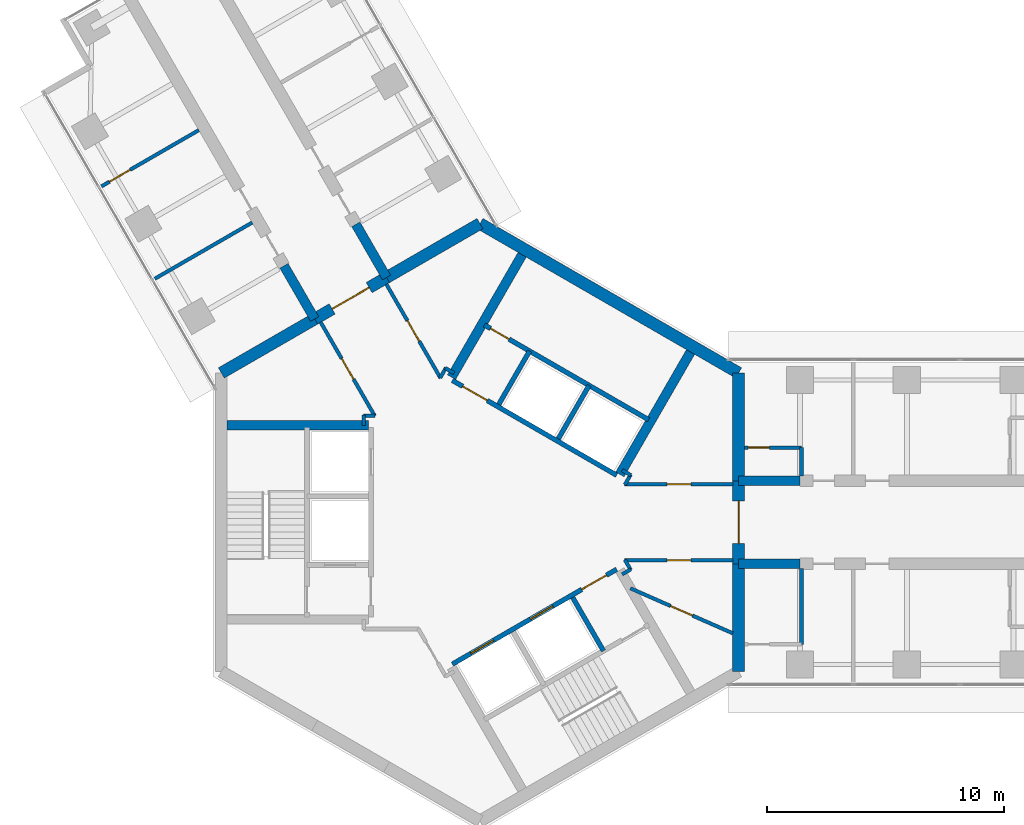
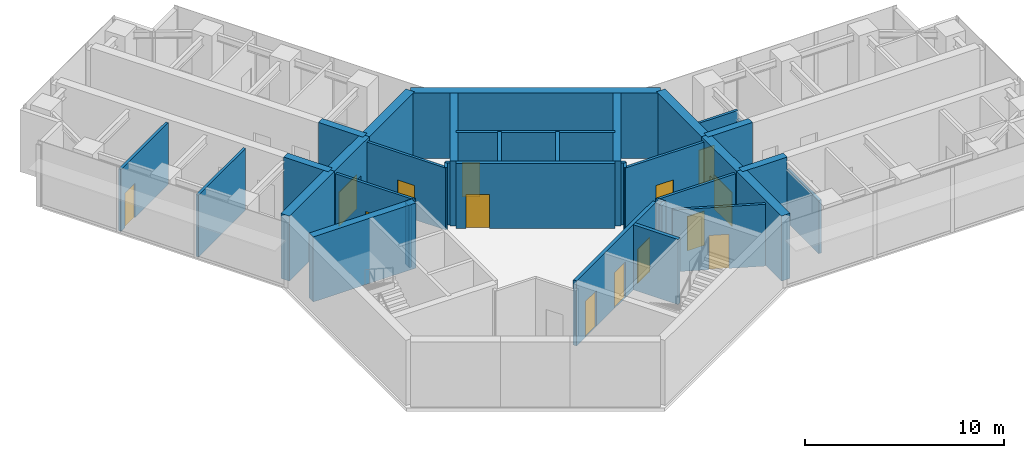
# One storey, part 12 of 17: 38 walls, 14 doors, 14 openings.
"""IFC4 building model written with IfcOpenShell, lengths in metres."""

from ifc_helpers import new_model, si_unit, direction, frame, frame_2d, origin, place, context, subcontext, project, spatial, rectangle, extrude, material, layer, layer_set, type_object, element, fill, save


model = new_model("IFC4")

# Units and contexts
model_context = context("Model", 3, precision=1e-05, world=origin(), true_north=direction((0.0, 1.0)))
body_context = subcontext(model_context, "Body", "Model", "MODEL_VIEW")
ifc_project = project(units=[si_unit("LENGTHUNIT", "METRE"), si_unit("AREAUNIT", "SQUARE_METRE"), si_unit("VOLUMEUNIT", "CUBIC_METRE"), si_unit("PLANEANGLEUNIT", "RADIAN"), si_unit("MASSUNIT", "GRAM", prefix="KILO")], contexts=[model_context])

# Site, building, storey
site_placement = place(None, origin())
site = spatial("IfcSite", under=ifc_project, at=site_placement, CompositionType="ELEMENT")
building_placement = place(site_placement, origin())
building = spatial("IfcBuilding", under=site, at=building_placement, Name="Upepo Twin Towers", CompositionType="ELEMENT")
storey_placement = place(building_placement, frame((0.0, 0.0, 194.5)))
storey = spatial("IfcBuildingStorey", under=building, at=storey_placement, Name="L47", CompositionType="ELEMENT", Elevation=194.5)

# Walls
ifc_material_1 = material(Name="Concrete C60/75", Category="concrete")
ifc_layer_1 = layer(ifc_material_1, 0.39990234375)
ifc_layer_set_1 = layer_set([ifc_layer_1], Name="Concrete C60/75")
wall_type_1 = type_object("IfcWallType", Name="Buttress wall 400 RC", PredefinedType="SHEAR", material=ifc_layer_set_1)
for number, where, z_axis, x_axis, name in (
    (1, (10.908447265625, 1.75, 0.0), (0.0, 0.0, 1.0), (1.0, 0.0, 0.0), "T1 wing A buttress wall L"),
    (2, (10.908447265625, -1.75, 0.0), (0.0, 0.0, 1.0), (1.0, 0.0, 0.0), "T1 wing A buttress wall R"),
):
    element("IfcWall", number, at=place(storey_placement, frame(where, z_axis=z_axis, x_axis=x_axis)), inside=storey, type_object=wall_type_1, Name=name, PredefinedType="SHEAR", context=body_context, shape_type="SweptSolid", body=[
        extrude(rectangle(XDim=2.591552734375, YDim=0.39990234375, at=frame_2d((1.2958984375, 0.0))), origin(), (0.0, 0.0, 1.0), 4.0),
    ])
for number, where, z_axis, x_axis, name in (
    (3, (-6.9697265625, 8.57177734375, 0.0), (0.0, 0.0, 1.0), (-0.499988811324, 0.866031863473, 0.0), "T1 wing B buttress wall L"),
    (4, (-3.938720703125, 10.32177734375, 0.0), (0.0, 0.0, 1.0), (-0.499918158782, 0.866072649678, 0.0), "T1 wing B buttress wall R"),
):
    element("IfcWall", number, at=place(storey_placement, frame(where, z_axis=z_axis, x_axis=x_axis)), inside=storey, type_object=wall_type_1, Name=name, PredefinedType="SHEAR", context=body_context, shape_type="SweptSolid", body=[
        extrude(rectangle(XDim=2.591796875, YDim=0.39990234375, at=frame_2d((1.2958984375, 0.0))), origin(), (0.0, 0.0, 1.0), 4.0),
    ])
ifc_material_2 = material(Name="Concrete C60/75", Category="concrete")
ifc_layer_2 = layer(ifc_material_2, 0.5)
ifc_layer_set_2 = layer_set([ifc_layer_2], Name="Concrete C60/75")
wall_type_2 = type_object("IfcWallType", Name="Core wall 500 RC", PredefinedType="SHEAR", material=ifc_layer_set_2)
wall_1_placement = place(storey_placement, frame((10.908447265625, -6.2978515625, 0.0), z_axis=(0.0, 0.0, 1.0), x_axis=(0.0, 1.0, 0.0)))
element("IfcWall", 5, at=wall_1_placement, inside=storey, type_object=wall_type_2, Name="T1 core wall 000 R", PredefinedType="SHEAR", context=body_context, shape_type="SweptSolid", body=[
    extrude(rectangle(XDim=4.5478515625, YDim=0.5, at=frame_2d((2.27392578125, 0.0))), origin(), (0.0, 0.0, 1.0), 4.0),
])

# Wall, opening, door
wall_2_placement = place(storey_placement, frame((10.908447265625, -1.75, 0.0), z_axis=(0.0, 0.0, 1.0), x_axis=(0.0, 1.0, 0.0)))
wall_2 = element("IfcWall", 6, at=wall_2_placement, inside=storey, type_object=wall_type_2, Name="T1 core wall 000", PredefinedType="SHEAR", context=body_context, shape_type="SweptSolid", body=[
    extrude(rectangle(XDim=3.5, YDim=0.5, at=frame_2d((1.75, 0.0))), origin(), (0.0, 0.0, 1.0), 4.0),
])
opening_1_placement = place(wall_2_placement, frame((0.85009765625, 0.0, 0.0)))
opening_1 = element("IfcOpeningElement", 7, at=opening_1_placement, cuts=wall_2, Name="Opening D2", PredefinedType="OPENING", context=body_context, shape_type="SweptSolid", body=[
    extrude(rectangle(XDim=1.800048828125, YDim=2.10009765625, at=frame_2d((0.89990234375, 1.050048828125))), frame((0.0, 0.260009765625, 0.0), z_axis=(0.0, -1.0, 0.0), x_axis=(1.0, 0.0, 0.0)), (0.0, 0.0, 1.0), 0.52001953125),
])
ifc_material_3 = material(Name="Timber doorset", Category="wood")
door_type_1 = type_object("IfcDoorType", Name="Corridor double door 1800 FD60", OperationType="DOUBLE_DOOR_DOUBLE_SWING", PredefinedType="DOOR", material=ifc_material_3)
door_1_placement = place(opening_1_placement, origin())
door_1 = element("IfcDoor", 8, at=door_1_placement, inside=storey, type_object=door_type_1, Name="T1 L47 wing A corridor door", OperationType="DOUBLE_DOOR_DOUBLE_SWING", OverallHeight=2.10009765625, OverallWidth=1.800048828125, PredefinedType="DOOR", context=body_context, shape_type="SweptSolid", body=[
    extrude(rectangle(XDim=1.800048828125, YDim=2.10009765625, at=frame_2d((0.89990234375, 1.050048828125))), frame((0.0, 0.02490234375, 0.0), z_axis=(0.0, -1.0, 0.0), x_axis=(1.0, 0.0, 0.0)), (0.0, 0.0, 1.0), 0.050048828125),
])
fill(opening_1, door_1)

# Walls
wall_3_placement = place(storey_placement, frame((10.908447265625, 1.75, 0.0), z_axis=(0.0, 0.0, 1.0), x_axis=(0.0, 1.0, 0.0)))
element("IfcWall", 9, at=wall_3_placement, inside=storey, type_object=wall_type_2, Name="T1 core wall 000 L", PredefinedType="SHEAR", context=body_context, shape_type="SweptSolid", body=[
    extrude(rectangle(XDim=4.5478515625, YDim=0.5, at=frame_2d((2.27392578125, 0.0))), origin(), (0.0, 0.0, 1.0), 4.0),
])
wall_4_placement = place(storey_placement, frame((10.908447265625, 6.2978515625, 0.0), z_axis=(0.0, 0.0, 1.0), x_axis=(-0.866021940709, 0.500005998175, 0.0)))
element("IfcWall", 10, at=wall_4_placement, inside=storey, type_object=wall_type_2, Name="T1 core wall 060", PredefinedType="SHEAR", context=body_context, shape_type="SweptSolid", body=[
    extrude(rectangle(XDim=12.595947265625, YDim=0.5, at=frame_2d((6.2978515625, 0.0))), origin(), (0.0, 0.0, 1.0), 4.0),
])
wall_5_placement = place(storey_placement, frame((0.0, 12.595947265625, 0.0), z_axis=(0.0, 0.0, 1.0), x_axis=(-0.866011268655, -0.500024481964, 0.0)))
element("IfcWall", 11, at=wall_5_placement, inside=storey, type_object=wall_type_2, Name="T1 core wall 120 R", PredefinedType="SHEAR", context=body_context, shape_type="SweptSolid", body=[
    extrude(rectangle(XDim=4.548095703125, YDim=0.5, at=frame_2d((2.27392578125, 0.0))), origin(), (0.0, 0.0, 1.0), 4.0),
])

# Wall, opening, door
wall_6_placement = place(storey_placement, frame((-3.938720703125, 10.32177734375, 0.0), z_axis=(0.0, 0.0, 1.0), x_axis=(-0.866019471182, -0.500010275428, 0.0)))
wall_6 = element("IfcWall", 12, at=wall_6_placement, inside=storey, type_object=wall_type_2, Name="T1 core wall 120", PredefinedType="SHEAR", context=body_context, shape_type="SweptSolid", body=[
    extrude(rectangle(XDim=3.5, YDim=0.5, at=frame_2d((1.75, 0.0))), origin(), (0.0, 0.0, 1.0), 4.0),
])
opening_2_placement = place(wall_6_placement, frame((0.85009765625, 0.0, 0.0)))
opening_2 = element("IfcOpeningElement", 13, at=opening_2_placement, cuts=wall_6, Name="Opening D2", PredefinedType="OPENING", context=body_context, shape_type="SweptSolid", body=[
    extrude(rectangle(XDim=1.800048828125, YDim=2.10009765625, at=frame_2d((0.89990234375, 1.050048828125))), frame((0.0, 0.260009765625, 0.0), z_axis=(0.0, -1.0, 0.0), x_axis=(1.0, 0.0, 0.0)), (0.0, 0.0, 1.0), 0.52001953125),
])
door_2_placement = place(opening_2_placement, origin())
door_2 = element("IfcDoor", 14, at=door_2_placement, inside=storey, type_object=door_type_1, Name="T1 L47 wing B corridor door", OperationType="DOUBLE_DOOR_DOUBLE_SWING", OverallHeight=2.10009765625, OverallWidth=1.800048828125, PredefinedType="DOOR", context=body_context, shape_type="SweptSolid", body=[
    extrude(rectangle(XDim=1.800048828125, YDim=2.10009765625, at=frame_2d((0.89990234375, 1.050048828125))), frame((0.0, 0.02490234375, 0.0), z_axis=(0.0, -1.0, 0.0), x_axis=(1.0, 0.0, 0.0)), (0.0, 0.0, 1.0), 0.050048828125),
])
fill(opening_2, door_2)

# Wall
wall_7_placement = place(storey_placement, frame((-6.9697265625, 8.57177734375, 0.0), z_axis=(0.0, 0.0, 1.0), x_axis=(-0.866034513004, -0.499984222037, 0.0)))
element("IfcWall", 15, at=wall_7_placement, inside=storey, type_object=wall_type_2, Name="T1 core wall 120 L", PredefinedType="SHEAR", context=body_context, shape_type="SweptSolid", body=[
    extrude(rectangle(XDim=4.548095703125, YDim=0.5, at=frame_2d((2.27392578125, 0.0))), origin(), (0.0, 0.0, 1.0), 4.0),
])

# Wall, opening, door
ifc_material_4 = material(Name="Concrete C40/50", Category="concrete")
ifc_layer_3 = layer(ifc_material_4, 0.199951171875)
ifc_layer_set_3 = layer_set([ifc_layer_3], Name="Concrete C40/50")
wall_type_3 = type_object("IfcWallType", Name="Shaft wall 200 RC", PredefinedType="SHEAR", material=ifc_layer_set_3)
wall_8_placement = place(storey_placement, frame((5.76416015625, 1.983642578125, 0.0), z_axis=(0.0, 0.0, 1.0), x_axis=(-0.866026010844, 0.49999894854, 0.0)))
wall_8 = element("IfcWall", 16, at=wall_8_placement, inside=storey, type_object=wall_type_3, Name="T1 core W60 front wall", PredefinedType="SHEAR", context=body_context, shape_type="SweptSolid", body=[
    extrude(rectangle(XDim=8.0, YDim=0.199951171875, at=frame_2d((4.0, 0.0))), origin(), (0.0, 0.0, 1.0), 4.0),
])
opening_3_placement = place(wall_8_placement, frame((6.300048828125, 0.0, 0.0)))
opening_3 = element("IfcOpeningElement", 17, at=opening_3_placement, cuts=wall_8, Name="Opening D4", PredefinedType="OPENING", context=body_context, shape_type="SweptSolid", body=[
    extrude(rectangle(XDim=1.199951171875, YDim=2.10009765625, at=frame_2d((0.60009765625, 1.050048828125))), frame((0.0, 0.10986328125, 0.0), z_axis=(0.0, -1.0, 0.0), x_axis=(1.0, 0.0, 0.0)), (0.0, 0.0, 1.0), 0.219970703125),
])
ifc_material_5 = material(Name="Timber doorset", Category="wood")
door_type_2 = type_object("IfcDoorType", Name="Lobby door 1200 FD60", OperationType="SINGLE_SWING_LEFT", PredefinedType="DOOR", material=ifc_material_5)
door_3_placement = place(opening_3_placement, origin())
door_3 = element("IfcDoor", 18, at=door_3_placement, inside=storey, type_object=door_type_2, Name="T1 L47 W60 lobby door", OperationType="SINGLE_SWING_RIGHT", OverallHeight=2.10009765625, OverallWidth=1.199951171875, PredefinedType="DOOR", context=body_context, shape_type="SweptSolid", body=[
    extrude(rectangle(XDim=1.199951171875, YDim=2.10009765625, at=frame_2d((0.60009765625, 1.050048828125))), frame((0.0, 0.02490234375, 0.0), z_axis=(0.0, -1.0, 0.0), x_axis=(1.0, 0.0, 0.0)), (0.0, 0.0, 1.0), 0.050048828125),
])
fill(opening_3, door_3)

# Walls
for number, where, z_axis, x_axis, name in (
    (19, (3.302734375, 3.520263671875, 0.0), (0.0, 0.0, 1.0), (0.499936506574, 0.866062058628, 0.0), "T1 core W60 shaft divider"),
    (20, (0.791259765625, 4.97021484375, 0.0), (0.0, 0.0, 1.0), (0.499936506574, 0.866062058628, 0.0), "T1 core W60 lobby wall"),
):
    element("IfcWall", number, at=place(storey_placement, frame(where, z_axis=z_axis, x_axis=x_axis)), inside=storey, type_object=wall_type_3, Name=name, PredefinedType="SHEAR", context=body_context, shape_type="SweptSolid", body=[
        extrude(rectangle(XDim=2.599853515625, YDim=0.199951171875, at=frame_2d((1.2998046875, 0.0))), origin(), (0.0, 0.0, 1.0), 4.0),
    ])

# Wall, opening, door
wall_9_placement = place(storey_placement, frame((7.114013671875, 4.322021484375, 0.0), z_axis=(0.0, 0.0, 1.0), x_axis=(-0.866026010844, 0.49999894854, 0.0)))
wall_9 = element("IfcWall", 21, at=wall_9_placement, inside=storey, type_object=wall_type_3, Name="T1 core W60 stair wall", PredefinedType="SHEAR", context=body_context, shape_type="SweptSolid", body=[
    extrude(rectangle(XDim=8.0, YDim=0.199951171875, at=frame_2d((4.0, 0.0))), origin(), (0.0, 0.0, 1.0), 4.0),
])
opening_4_placement = place(wall_9_placement, frame((6.800048828125, 0.0, 0.0)))
opening_4 = element("IfcOpeningElement", 22, at=opening_4_placement, cuts=wall_9, Name="Opening D9", PredefinedType="OPENING", context=body_context, shape_type="SweptSolid", body=[
    extrude(rectangle(XDim=0.89990234375, YDim=2.10009765625, at=frame_2d((0.449951171875, 1.050048828125))), frame((0.0, 0.10986328125, 0.0), z_axis=(0.0, -1.0, 0.0), x_axis=(1.0, 0.0, 0.0)), (0.0, 0.0, 1.0), 0.219970703125),
])
ifc_material_6 = material(Name="Timber doorset", Category="wood")
door_type_3 = type_object("IfcDoorType", Name="Riser door 900 FD60", OperationType="SINGLE_SWING_LEFT", PredefinedType="DOOR", material=ifc_material_6)
door_4_placement = place(opening_4_placement, origin())
door_4 = element("IfcDoor", 23, at=door_4_placement, inside=storey, type_object=door_type_3, Name="T1 L47 riser door", OperationType="SINGLE_SWING_RIGHT", OverallHeight=2.10009765625, OverallWidth=0.89990234375, PredefinedType="DOOR", context=body_context, shape_type="SweptSolid", body=[
    extrude(rectangle(XDim=0.89990234375, YDim=2.10009765625, at=frame_2d((0.449951171875, 1.050048828125))), frame((0.0, 0.02490234375, 0.0), z_axis=(0.0, -1.0, 0.0), x_axis=(1.0, 0.0, 0.0)), (0.0, 0.0, 1.0), 0.050048828125),
])
fill(opening_4, door_4)

# Wall, openings, doors
wall_10_placement = place(storey_placement, frame((-1.1640625, -5.983642578125, 0.0), z_axis=(0.0, 0.0, 1.0), x_axis=(0.866026010844, 0.49999894854, 0.0)))
wall_10 = element("IfcWall", 24, at=wall_10_placement, inside=storey, type_object=wall_type_3, Name="T1 core W300 front wall", PredefinedType="SHEAR", context=body_context, shape_type="SweptSolid", body=[
    extrude(rectangle(XDim=8.0, YDim=0.199951171875, at=frame_2d((4.0, 0.0))), origin(), (0.0, 0.0, 1.0), 4.0),
])
opening_5_placement = place(wall_10_placement, frame((6.300048828125, 0.0, 0.0)))
opening_5 = element("IfcOpeningElement", 25, at=opening_5_placement, cuts=wall_10, Name="Opening D4", PredefinedType="OPENING", context=body_context, shape_type="SweptSolid", body=[
    extrude(rectangle(XDim=1.199951171875, YDim=2.10009765625, at=frame_2d((0.60009765625, 1.050048828125))), frame((0.0, 0.10986328125, 0.0), z_axis=(0.0, -1.0, 0.0), x_axis=(1.0, 0.0, 0.0)), (0.0, 0.0, 1.0), 0.219970703125),
])
opening_6_placement = place(wall_10_placement, frame((0.89990234375, 0.0, 0.0)))
opening_6 = element("IfcOpeningElement", 26, at=opening_6_placement, cuts=wall_10, Name="Opening LD1", PredefinedType="OPENING", context=body_context, shape_type="SweptSolid", body=[
    extrude(rectangle(XDim=1.10009765625, YDim=2.199951171875, at=frame_2d((0.550048828125, 1.10009765625))), frame((0.0, 0.10986328125, 0.0), z_axis=(0.0, -1.0, 0.0), x_axis=(1.0, 0.0, 0.0)), (0.0, 0.0, 1.0), 0.219970703125),
])
opening_7_placement = place(wall_10_placement, frame((3.800048828125, 0.0, 0.0)))
opening_7 = element("IfcOpeningElement", 27, at=opening_7_placement, cuts=wall_10, Name="Opening LD1", PredefinedType="OPENING", context=body_context, shape_type="SweptSolid", body=[
    extrude(rectangle(XDim=1.10009765625, YDim=2.199951171875, at=frame_2d((0.550048828125, 1.10009765625))), frame((0.0, 0.10986328125, 0.0), z_axis=(0.0, -1.0, 0.0), x_axis=(1.0, 0.0, 0.0)), (0.0, 0.0, 1.0), 0.219970703125),
])
ifc_material_7 = material(Name="Steel doorset", Category="steel")
door_type_4 = type_object("IfcDoorType", Name="Lift landing door 1100", OperationType="DOUBLE_DOOR_SLIDING", PredefinedType="DOOR", material=ifc_material_7)
door_5_placement = place(opening_6_placement, origin())
door_5 = element("IfcDoor", 28, at=door_5_placement, inside=storey, type_object=door_type_4, Name="T1 L47 lift UL1 landing door", OperationType="DOUBLE_DOOR_SLIDING", OverallHeight=2.199951171875, OverallWidth=1.10009765625, PredefinedType="DOOR", context=body_context, shape_type="SweptSolid", body=[
    extrude(rectangle(XDim=1.10009765625, YDim=2.199951171875, at=frame_2d((0.550048828125, 1.10009765625))), frame((0.0, 0.02490234375, 0.0), z_axis=(0.0, -1.0, 0.0), x_axis=(1.0, 0.0, 0.0)), (0.0, 0.0, 1.0), 0.050048828125),
])
fill(opening_6, door_5)
door_6_placement = place(opening_7_placement, origin())
door_6 = element("IfcDoor", 29, at=door_6_placement, inside=storey, type_object=door_type_4, Name="T1 L47 lift UL2 landing door", OperationType="DOUBLE_DOOR_SLIDING", OverallHeight=2.199951171875, OverallWidth=1.10009765625, PredefinedType="DOOR", context=body_context, shape_type="SweptSolid", body=[
    extrude(rectangle(XDim=1.10009765625, YDim=2.199951171875, at=frame_2d((0.550048828125, 1.10009765625))), frame((0.0, 0.02490234375, 0.0), z_axis=(0.0, -1.0, 0.0), x_axis=(1.0, 0.0, 0.0)), (0.0, 0.0, 1.0), 0.050048828125),
])
fill(opening_7, door_6)
door_7_placement = place(opening_5_placement, origin())
door_7 = element("IfcDoor", 30, at=door_7_placement, inside=storey, type_object=door_type_2, Name="T1 L47 W300 lobby door", OperationType="SINGLE_SWING_RIGHT", OverallHeight=2.10009765625, OverallWidth=1.199951171875, PredefinedType="DOOR", context=body_context, shape_type="SweptSolid", body=[
    extrude(rectangle(XDim=1.199951171875, YDim=2.10009765625, at=frame_2d((0.60009765625, 1.050048828125))), frame((0.0, 0.02490234375, 0.0), z_axis=(0.0, -1.0, 0.0), x_axis=(1.0, 0.0, 0.0)), (0.0, 0.0, 1.0), 0.050048828125),
])
fill(opening_5, door_7)

# Walls
wall_11_placement = place(storey_placement, frame((3.908935546875, -3.17041015625, 0.0), z_axis=(0.0, 0.0, 1.0), x_axis=(0.49997716683, -0.86603858612, 0.0)))
element("IfcWall", 31, at=wall_11_placement, inside=storey, type_object=wall_type_3, Name="T1 core W300 lobby wall", PredefinedType="SHEAR", context=body_context, shape_type="SweptSolid", body=[
    extrude(rectangle(XDim=2.599609375, YDim=0.199951171875, at=frame_2d((1.2998046875, 0.0))), origin(), (0.0, 0.0, 1.0), 4.0),
])
ifc_material_8 = material(Name="Concrete C40/50", Category="concrete")
ifc_layer_4 = layer(ifc_material_8, 0.39990234375)
ifc_layer_set_4 = layer_set([ifc_layer_4], Name="Concrete C40/50")
wall_type_4 = type_object("IfcWallType", Name="Shaft wall 400 RC", PredefinedType="SHEAR", material=ifc_layer_set_4)
wall_12_placement = place(storey_placement, frame((-1.20068359375, 6.120361328125, 0.0), z_axis=(0.0, 0.0, 1.0), x_axis=(0.500021575205, 0.866012946976, 0.0)))
element("IfcWall", 32, at=wall_12_placement, inside=storey, type_object=wall_type_4, Name="T1 core W60 side wall N", PredefinedType="SHEAR", context=body_context, shape_type="SweptSolid", body=[
    extrude(rectangle(XDim=5.958251953125, YDim=0.39990234375, at=frame_2d((2.97900390625, 0.0))), origin(), (0.0, 0.0, 1.0), 4.0),
])
for number, where, z_axis, x_axis, name in (
    (33, (5.900634765625, 2.020263671875, 0.0), (0.0, 0.0, 1.0), (0.500003832394, 0.86602319114, 0.0), "T1 core W60 side wall S"),
    (34, (-4.699951171875, 4.10009765625, 0.0), (0.0, 0.0, 1.0), (-1.0, 0.0, 0.0), "T1 core W180 side wall S"),
):
    element("IfcWall", number, at=place(storey_placement, frame(where, z_axis=z_axis, x_axis=x_axis)), inside=storey, type_object=wall_type_4, Name=name, PredefinedType="SHEAR", context=body_context, shape_type="SweptSolid", body=[
        extrude(rectangle(XDim=5.95849609375, YDim=0.39990234375, at=frame_2d((2.979248046875, 0.0))), origin(), (0.0, 0.0, 1.0), 4.0),
    ])

# Wall, opening, door
ifc_material_9 = material(Name="Gypsum board on steel studs", Category="steel")
ifc_layer_5 = layer(ifc_material_9, 0.14990234375)
ifc_layer_set_5 = layer_set([ifc_layer_5], Name="Teaching partition 150 acoustic")
wall_type_5 = type_object("IfcWallType", Name="Teaching partition 150 acoustic", PredefinedType="PARTITIONING", material=ifc_layer_set_5)
wall_13_placement = place(storey_placement, frame((11.157958984375, 3.14990234375, 0.0), z_axis=(0.0, 0.0, 1.0), x_axis=(1.0, 0.0, 0.0)))
wall_13 = element("IfcWall", 35, at=wall_13_placement, inside=storey, type_object=wall_type_5, Name="T1 WC bay partition AL at 11.16", PredefinedType="PARTITIONING", context=body_context, shape_type="SweptSolid", body=[
    extrude(rectangle(XDim=2.400146484375, YDim=0.14990234375, at=frame_2d((1.2001953125, 0.0))), origin(), (0.0, 0.0, 1.0), 3.800048828125),
])
opening_8_placement = place(wall_13_placement, frame((0.14990234375, 0.0, 0.0)))
opening_8 = element("IfcOpeningElement", 36, at=opening_8_placement, cuts=wall_13, Name="Opening D14", PredefinedType="OPENING", context=body_context, shape_type="SweptSolid", body=[
    extrude(rectangle(XDim=0.89990234375, YDim=2.10009765625, at=frame_2d((0.449951171875, 1.050048828125))), frame((0.0, 0.0849609375, 0.0), z_axis=(0.0, -1.0, 0.0), x_axis=(1.0, 0.0, 0.0)), (0.0, 0.0, 1.0), 0.169921875),
])
ifc_material_10 = material(Name="Timber doorset", Category="wood")
door_type_5 = type_object("IfcDoorType", Name="Office door 900 FD30", OperationType="SINGLE_SWING_LEFT", PredefinedType="DOOR", material=ifc_material_10)
door_8_placement = place(opening_8_placement, origin())
door_8 = element("IfcDoor", 37, at=door_8_placement, inside=storey, type_object=door_type_5, Name="T1 L47 WC bay inner room door", OperationType="SINGLE_SWING_LEFT", OverallHeight=2.10009765625, OverallWidth=0.89990234375, PredefinedType="DOOR", context=body_context, shape_type="SweptSolid", body=[
    extrude(rectangle(XDim=0.89990234375, YDim=2.10009765625, at=frame_2d((0.449951171875, 1.050048828125))), frame((0.0, 0.02490234375, 0.0), z_axis=(0.0, -1.0, 0.0), x_axis=(1.0, 0.0, 0.0)), (0.0, 0.0, 1.0), 0.050048828125),
])
fill(opening_8, door_8)

# Walls
wall_14_placement = place(storey_placement, frame((13.55810546875, 1.949951171875, 0.0), z_axis=(0.0, 0.0, 1.0), x_axis=(0.0, 1.0, 0.0)))
element("IfcWall", 38, at=wall_14_placement, inside=storey, type_object=wall_type_5, Name="T1 WC bay partition AL end at 13.56", PredefinedType="PARTITIONING", context=body_context, shape_type="SweptSolid", body=[
    extrude(rectangle(XDim=1.199951171875, YDim=0.14990234375, at=frame_2d((0.60009765625, 0.0))), origin(), (0.0, 0.0, 1.0), 3.266845703125),
])
wall_15_placement = place(storey_placement, frame((13.55810546875, -1.949951171875, 0.0), z_axis=(0.0, 0.0, 1.0), x_axis=(0.0, -1.0, 0.0)))
element("IfcWall", 39, at=wall_15_placement, inside=storey, type_object=wall_type_5, Name="T1 WC bay partition AR end at 13.56", PredefinedType="PARTITIONING", context=body_context, shape_type="SweptSolid", body=[
    extrude(rectangle(XDim=3.199951171875, YDim=0.14990234375, at=frame_2d((1.60009765625, 0.0))), origin(), (0.0, 0.0, 1.0), 3.266845703125),
])
wall_16_placement = place(storey_placement, frame((-9.60693359375, 12.639892578125, 0.0), z_axis=(0.0, 0.0, 1.0), x_axis=(-0.866033238375, -0.499986429846, 0.0)))
element("IfcWall", 40, at=wall_16_placement, inside=storey, type_object=wall_type_5, Name="T1 partition BL at 15.75", PredefinedType="PARTITIONING", context=body_context, shape_type="SweptSolid", body=[
    extrude(rectangle(XDim=4.750244140625, YDim=0.14990234375, at=frame_2d((2.375, 0.0))), origin(), (0.0, 0.0, 1.0), 3.800048828125),
])

# Wall, opening, door
wall_17_placement = place(storey_placement, frame((-11.85693359375, 16.537109375, 0.0), z_axis=(0.0, 0.0, 1.0), x_axis=(-0.866033238375, -0.499986429846, 0.0)))
wall_17 = element("IfcWall", 41, at=wall_17_placement, inside=storey, type_object=wall_type_5, Name="T1 partition BL at 20.25", PredefinedType="PARTITIONING", context=body_context, shape_type="SweptSolid", body=[
    extrude(rectangle(XDim=4.750244140625, YDim=0.14990234375, at=frame_2d((2.375, 0.0))), origin(), (0.0, 0.0, 1.0), 3.800048828125),
])
opening_9_placement = place(wall_17_placement, frame((3.35009765625, 0.0, 0.0)))
opening_9 = element("IfcOpeningElement", 42, at=opening_9_placement, cuts=wall_17, Name="Opening D1", PredefinedType="OPENING", context=body_context, shape_type="SweptSolid", body=[
    extrude(rectangle(XDim=1.0, YDim=2.10009765625, at=frame_2d((0.5, 1.050048828125))), frame((0.0, 0.0849609375, 0.0), z_axis=(0.0, -1.0, 0.0), x_axis=(1.0, 0.0, 0.0)), (0.0, 0.0, 1.0), 0.169921875),
])
ifc_material_11 = material(Name="Timber doorset", Category="wood")
door_type_6 = type_object("IfcDoorType", Name="Room door 1000 FD30", OperationType="SINGLE_SWING_LEFT", PredefinedType="DOOR", material=ifc_material_11)
door_9_placement = place(opening_9_placement, origin())
door_9 = element("IfcDoor", 43, at=door_9_placement, inside=storey, type_object=door_type_6, Name="T1 L47 connecting door", OperationType="SINGLE_SWING_RIGHT", OverallHeight=2.10009765625, OverallWidth=1.0, PredefinedType="DOOR", context=body_context, shape_type="SweptSolid", body=[
    extrude(rectangle(XDim=1.0, YDim=2.10009765625, at=frame_2d((0.5, 1.050048828125))), frame((0.0, 0.02490234375, 0.0), z_axis=(0.0, -1.0, 0.0), x_axis=(1.0, 0.0, 0.0)), (0.0, 0.0, 1.0), 0.050048828125),
])
fill(opening_9, door_9)

# Walls
for number, where, z_axis, x_axis, name in (
    (44, (6.364501953125, -1.9833984375, 0.0), (0.0, 0.0, 1.0), (-0.865892400268, -0.500230298122, 0.0), "T1 core room partition 1"),
    (45, (-4.89990234375, 4.090087890625, 0.0), (0.0, 0.0, 1.0), (0.0, 1.0, 0.0), "T1 core room partition 6"),
):
    element("IfcWall", number, at=place(storey_placement, frame(where, z_axis=z_axis, x_axis=x_axis)), inside=storey, type_object=wall_type_5, Name=name, PredefinedType="PARTITIONING", context=body_context, shape_type="SweptSolid", body=[
        extrude(rectangle(XDim=0.429931640625, YDim=0.14990234375, at=frame_2d((0.21484375, 0.0))), origin(), (0.0, 0.0, 1.0), 3.800048828125),
    ])
wall_18_placement = place(storey_placement, frame((-4.919921875, 4.5, 0.0), z_axis=(0.0, 0.0, 1.0), x_axis=(1.0, 0.0, 0.0)))
element("IfcWall", 46, at=wall_18_placement, inside=storey, type_object=wall_type_5, Name="T1 core room partition 7", PredefinedType="PARTITIONING", context=body_context, shape_type="SweptSolid", body=[
    extrude(rectangle(XDim=0.494384765625, YDim=0.14990234375, at=frame_2d((0.2470703125, 0.0))), origin(), (0.0, 0.0, 1.0), 3.800048828125),
])

# Wall, opening, door
wall_19_placement = place(storey_placement, frame((-4.435546875, 4.482666015625, 0.0), z_axis=(0.0, 0.0, 1.0), x_axis=(-0.500001558674, 0.866024503882, 0.0)))
wall_19 = element("IfcWall", 47, at=wall_19_placement, inside=storey, type_object=wall_type_5, Name="T1 core room partition 8", PredefinedType="PARTITIONING", context=body_context, shape_type="SweptSolid", body=[
    extrude(rectangle(XDim=4.568359375, YDim=0.14990234375, at=frame_2d((2.2841796875, 0.0))), origin(), (0.0, 0.0, 1.0), 3.800048828125),
])
opening_10_placement = place(wall_19_placement, frame((1.794189453125, 0.0, 0.0)))
opening_10 = element("IfcOpeningElement", 48, at=opening_10_placement, cuts=wall_19, Name="Opening D1", PredefinedType="OPENING", context=body_context, shape_type="SweptSolid", body=[
    extrude(rectangle(XDim=1.0, YDim=2.10009765625, at=frame_2d((0.5, 1.050048828125))), frame((0.0, 0.0849609375, 0.0), z_axis=(0.0, -1.0, 0.0), x_axis=(1.0, 0.0, 0.0)), (0.0, 0.0, 1.0), 0.169921875),
])
door_10_placement = place(opening_10_placement, origin())
door_10 = element("IfcDoor", 49, at=door_10_placement, inside=storey, type_object=door_type_6, Name="T1 L47 core room door K6", OperationType="SINGLE_SWING_RIGHT", OverallHeight=2.10009765625, OverallWidth=1.0, PredefinedType="DOOR", context=body_context, shape_type="SweptSolid", body=[
    extrude(rectangle(XDim=1.0, YDim=2.10009765625, at=frame_2d((0.5, 1.050048828125))), frame((0.0, 0.02490234375, 0.0), z_axis=(0.0, -1.0, 0.0), x_axis=(1.0, 0.0, 0.0)), (0.0, 0.0, 1.0), 0.050048828125),
])
fill(opening_10, door_10)

wall_20_placement = place(storey_placement, frame((-3.948486328125, 10.0390625, 0.0), z_axis=(0.0, 0.0, 1.0), x_axis=(0.500001558674, -0.866024503882, 0.0)))
wall_20 = element("IfcWall", 50, at=wall_20_placement, inside=storey, type_object=wall_type_5, Name="T1 core room partition 9", PredefinedType="PARTITIONING", context=body_context, shape_type="SweptSolid", body=[
    extrude(rectangle(XDim=4.568359375, YDim=0.14990234375, at=frame_2d((2.2841796875, 0.0))), origin(), (0.0, 0.0, 1.0), 3.800048828125),
])
opening_11_placement = place(wall_20_placement, frame((1.774169921875, 0.0, 0.0)))
opening_11 = element("IfcOpeningElement", 51, at=opening_11_placement, cuts=wall_20, Name="Opening D1", PredefinedType="OPENING", context=body_context, shape_type="SweptSolid", body=[
    extrude(rectangle(XDim=1.0, YDim=2.10009765625, at=frame_2d((0.5, 1.050048828125))), frame((0.0, 0.0849609375, 0.0), z_axis=(0.0, -1.0, 0.0), x_axis=(1.0, 0.0, 0.0)), (0.0, 0.0, 1.0), 0.169921875),
])
door_11_placement = place(opening_11_placement, origin())
door_11 = element("IfcDoor", 52, at=door_11_placement, inside=storey, type_object=door_type_6, Name="T1 L47 core room door K5", OperationType="SINGLE_SWING_LEFT", OverallHeight=2.10009765625, OverallWidth=1.0, PredefinedType="DOOR", context=body_context, shape_type="SweptSolid", body=[
    extrude(rectangle(XDim=1.0, YDim=2.10009765625, at=frame_2d((0.5, 1.050048828125))), frame((0.0, 0.02490234375, 0.0), z_axis=(0.0, -1.0, 0.0), x_axis=(1.0, 0.0, 0.0)), (0.0, 0.0, 1.0), 0.050048828125),
])
fill(opening_11, door_11)

# Walls
wall_21_placement = place(storey_placement, frame((-1.684326171875, 6.082763671875, 0.0), z_axis=(0.0, 0.0, 1.0), x_axis=(0.50033519877, 0.865831790172, 0.0)))
element("IfcWall", 53, at=wall_21_placement, inside=storey, type_object=wall_type_5, Name="T1 core room partition 10", PredefinedType="PARTITIONING", context=body_context, shape_type="SweptSolid", body=[
    extrude(rectangle(XDim=0.494384765625, YDim=0.14990234375, at=frame_2d((0.2470703125, 0.0))), origin(), (0.0, 0.0, 1.0), 3.800048828125),
])
for number, where, z_axis, x_axis, name in (
    (54, (-1.46435546875, 6.50341796875, 0.0), (0.0, 0.0, 1.0), (0.866138304741, -0.499804398801, 0.0), "T1 core room partition 11"),
    (55, (5.9921875, 2.198486328125, 0.0), (0.0, 0.0, 1.0), (0.865892400268, -0.500230298122, 0.0), "T1 core room partition 12"),
):
    element("IfcWall", number, at=place(storey_placement, frame(where, z_axis=z_axis, x_axis=x_axis)), inside=storey, type_object=wall_type_5, Name=name, PredefinedType="PARTITIONING", context=body_context, shape_type="SweptSolid", body=[
        extrude(rectangle(XDim=0.429931640625, YDim=0.14990234375, at=frame_2d((0.21484375, 0.0))), origin(), (0.0, 0.0, 1.0), 3.800048828125),
    ])
wall_22_placement = place(storey_placement, frame((6.357177734375, 2.0107421875, 0.0), z_axis=(0.0, 0.0, 1.0), x_axis=(-0.50033519877, -0.865831790172, 0.0)))
element("IfcWall", 56, at=wall_22_placement, inside=storey, type_object=wall_type_5, Name="T1 core room partition 13", PredefinedType="PARTITIONING", context=body_context, shape_type="SweptSolid", body=[
    extrude(rectangle(XDim=0.494384765625, YDim=0.14990234375, at=frame_2d((0.2470703125, 0.0))), origin(), (0.0, 0.0, 1.0), 3.800048828125),
])

# Wall, opening, door
wall_23_placement = place(storey_placement, frame((6.099853515625, 1.60009765625, 0.0), z_axis=(0.0, 0.0, 1.0), x_axis=(1.0, 0.0, 0.0)))
wall_23 = element("IfcWall", 57, at=wall_23_placement, inside=storey, type_object=wall_type_5, Name="T1 core room partition 14", PredefinedType="PARTITIONING", context=body_context, shape_type="SweptSolid", body=[
    extrude(rectangle(XDim=4.568359375, YDim=0.14990234375, at=frame_2d((2.2841796875, 0.0))), origin(), (0.0, 0.0, 1.0), 3.800048828125),
])
opening_12_placement = place(wall_23_placement, frame((1.79443359375, 0.0, 0.0)))
opening_12 = element("IfcOpeningElement", 58, at=opening_12_placement, cuts=wall_23, Name="Opening D1", PredefinedType="OPENING", context=body_context, shape_type="SweptSolid", body=[
    extrude(rectangle(XDim=1.0, YDim=2.10009765625, at=frame_2d((0.5, 1.050048828125))), frame((0.0, 0.0849609375, 0.0), z_axis=(0.0, -1.0, 0.0), x_axis=(1.0, 0.0, 0.0)), (0.0, 0.0, 1.0), 0.169921875),
])
door_12_placement = place(opening_12_placement, origin())
door_12 = element("IfcDoor", 59, at=door_12_placement, inside=storey, type_object=door_type_6, Name="T1 L47 core room door K4", OperationType="SINGLE_SWING_RIGHT", OverallHeight=2.10009765625, OverallWidth=1.0, PredefinedType="DOOR", context=body_context, shape_type="SweptSolid", body=[
    extrude(rectangle(XDim=1.0, YDim=2.10009765625, at=frame_2d((0.5, 1.050048828125))), frame((0.0, 0.02490234375, 0.0), z_axis=(0.0, -1.0, 0.0), x_axis=(1.0, 0.0, 0.0)), (0.0, 0.0, 1.0), 0.050048828125),
])
fill(opening_12, door_12)

wall_24_placement = place(storey_placement, frame((10.668212890625, -1.60009765625, 0.0), z_axis=(0.0, 0.0, 1.0), x_axis=(-1.0, 0.0, 0.0)))
wall_24 = element("IfcWall", 60, at=wall_24_placement, inside=storey, type_object=wall_type_5, Name="T1 core room partition 15", PredefinedType="PARTITIONING", context=body_context, shape_type="SweptSolid", body=[
    extrude(rectangle(XDim=4.568359375, YDim=0.14990234375, at=frame_2d((2.2841796875, 0.0))), origin(), (0.0, 0.0, 1.0), 3.800048828125),
])
opening_13_placement = place(wall_24_placement, frame((1.774169921875, 0.0, 0.0)))
opening_13 = element("IfcOpeningElement", 61, at=opening_13_placement, cuts=wall_24, Name="Opening D1", PredefinedType="OPENING", context=body_context, shape_type="SweptSolid", body=[
    extrude(rectangle(XDim=1.0, YDim=2.10009765625, at=frame_2d((0.5, 1.050048828125))), frame((0.0, 0.0849609375, 0.0), z_axis=(0.0, -1.0, 0.0), x_axis=(1.0, 0.0, 0.0)), (0.0, 0.0, 1.0), 0.169921875),
])
door_13_placement = place(opening_13_placement, origin())
door_13 = element("IfcDoor", 62, at=door_13_placement, inside=storey, type_object=door_type_6, Name="T1 L47 core room door K2", OperationType="SINGLE_SWING_LEFT", OverallHeight=2.10009765625, OverallWidth=1.0, PredefinedType="DOOR", context=body_context, shape_type="SweptSolid", body=[
    extrude(rectangle(XDim=1.0, YDim=2.10009765625, at=frame_2d((0.5, 1.050048828125))), frame((0.0, 0.02490234375, 0.0), z_axis=(0.0, -1.0, 0.0), x_axis=(1.0, 0.0, 0.0)), (0.0, 0.0, 1.0), 0.050048828125),
])
fill(opening_13, door_13)

# Wall
wall_25_placement = place(storey_placement, frame((6.10986328125, -1.582763671875, 0.0), z_axis=(0.0, 0.0, 1.0), x_axis=(0.50033519877, -0.865831790172, 0.0)))
element("IfcWall", 63, at=wall_25_placement, inside=storey, type_object=wall_type_5, Name="T1 core room partition 16", PredefinedType="PARTITIONING", context=body_context, shape_type="SweptSolid", body=[
    extrude(rectangle(XDim=0.494384765625, YDim=0.14990234375, at=frame_2d((0.2470703125, 0.0))), origin(), (0.0, 0.0, 1.0), 3.800048828125),
])

# Wall, opening, door
wall_26_placement = place(storey_placement, frame((6.34228515625, -2.78515625, 0.0), z_axis=(0.0, 0.0, 1.0), x_axis=(0.915607292951, -0.402073730919, 0.0)))
wall_26 = element("IfcWall", 64, at=wall_26_placement, inside=storey, type_object=wall_type_5, Name="T1 core room partition 17", PredefinedType="PARTITIONING", context=body_context, shape_type="SweptSolid", body=[
    extrude(rectangle(XDim=4.713623046875, YDim=0.14990234375, at=frame_2d((2.35693359375, 0.0))), origin(), (0.0, 0.0, 1.0), 3.800048828125),
])
opening_14_placement = place(wall_26_placement, frame((1.85693359375, 0.0, 0.0)))
opening_14 = element("IfcOpeningElement", 65, at=opening_14_placement, cuts=wall_26, Name="Opening D1", PredefinedType="OPENING", context=body_context, shape_type="SweptSolid", body=[
    extrude(rectangle(XDim=1.0, YDim=2.10009765625, at=frame_2d((0.5, 1.050048828125))), frame((0.0, 0.0849609375, 0.0), z_axis=(0.0, -1.0, 0.0), x_axis=(1.0, 0.0, 0.0)), (0.0, 0.0, 1.0), 0.169921875),
])
door_14_placement = place(opening_14_placement, origin())
door_14 = element("IfcDoor", 66, at=door_14_placement, inside=storey, type_object=door_type_6, Name="T1 L47 core room door K3", OperationType="SINGLE_SWING_LEFT", OverallHeight=2.10009765625, OverallWidth=1.0, PredefinedType="DOOR", context=body_context, shape_type="SweptSolid", body=[
    extrude(rectangle(XDim=1.0, YDim=2.10009765625, at=frame_2d((0.5, 1.050048828125))), frame((0.0, 0.02490234375, 0.0), z_axis=(0.0, -1.0, 0.0), x_axis=(1.0, 0.0, 0.0)), (0.0, 0.0, 1.0), 0.050048828125),
])
fill(opening_14, door_14)

save(model, "model.ifc")
